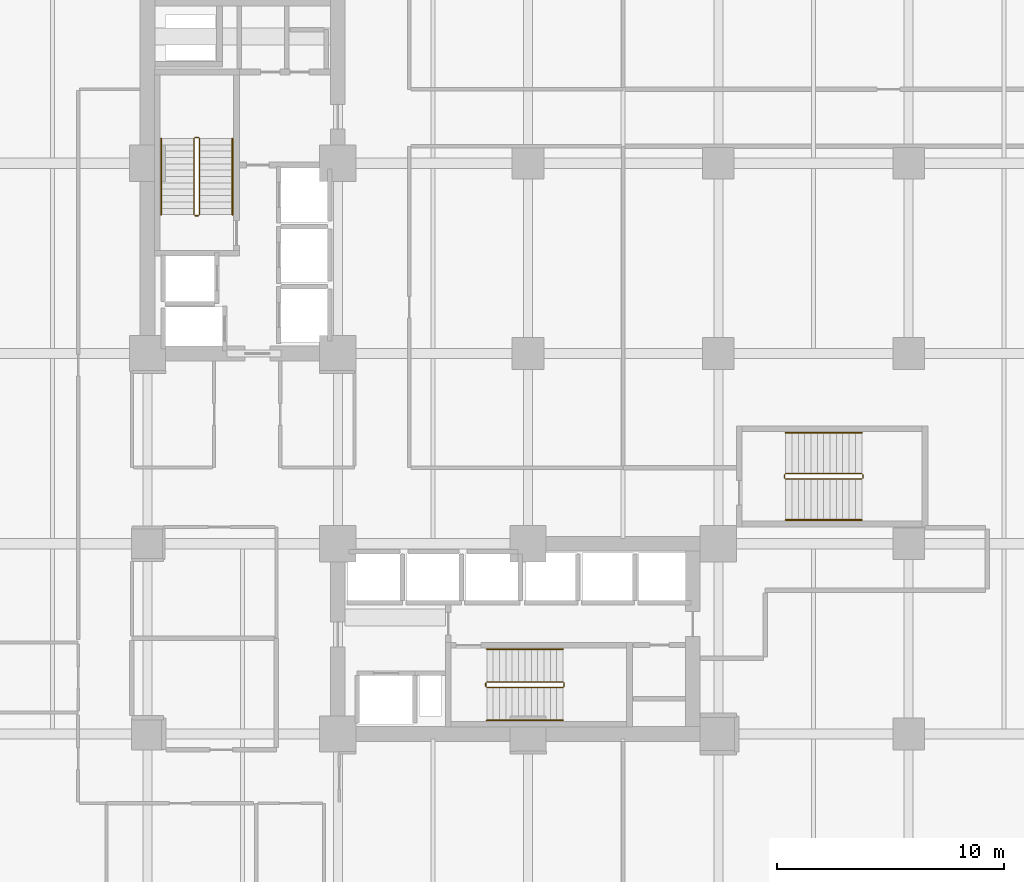
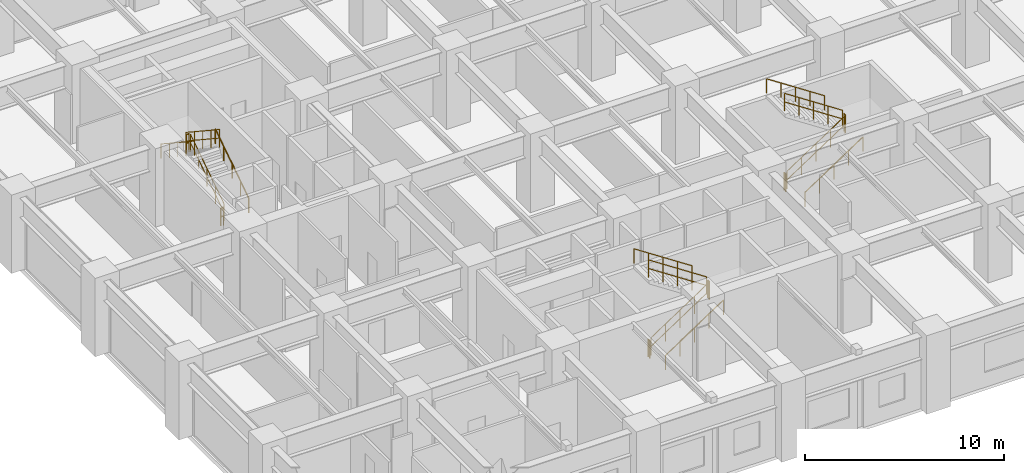
# One storey, part 24 of 24: 18 railings.
"""IFC4 building model written with IfcOpenShell, lengths in metres."""

import ifcopenshell
import ifcopenshell.guid

model = None  # the IFC model being written
_history = None  # IfcOwnerHistory: only IFC2X3 demands one
_inside = {}  # id of a spatial element -> (the spatial element, [elements in it])
_under = {}  # id of a project, library or spatial element -> (it, [spatial elements below it])
_declared = {}  # id of a project -> (the project, [libraries it declares])
_typed = {}  # id of a type object -> (the type object, [elements of that type])
_made_of = {}  # id of a material, layer set ... -> (it, [elements and type objects made of it])


def new_model(schema):
    """Start an empty IFC model of exactly this schema.

    Asked for "IFC4X3", IfcOpenShell would pick the latest addendum, in which some entities
    have other attributes; the version numbers below select the first issue.
    IFC2X3 requires an IfcOwnerHistory on every rooted entity: one is made here for all.
    """
    global model, _history
    if schema == "IFC4X3":
        model = ifcopenshell.file(schema_version=(4, 3, 0, 0))
    else:
        model = ifcopenshell.file(schema=schema)
    _inside.clear()
    _under.clear()
    _declared.clear()
    _typed.clear()
    _made_of.clear()
    _history = None
    if model.schema == "IFC2X3":
        org = make("IfcOrganization", Name="unknown")
        user = make(
            "IfcPersonAndOrganization",
            ThePerson=make("IfcPerson", FamilyName="unknown"),
            TheOrganization=org,
        )
        app = make(
            "IfcApplication",
            ApplicationDeveloper=org,
            Version="unknown",
            ApplicationFullName="unknown",
            ApplicationIdentifier="unknown",
        )
        _history = make(
            "IfcOwnerHistory",
            OwningUser=user,
            OwningApplication=app,
            ChangeAction="ADDED",
            CreationDate=0,
        )
    return model


def make(cls, **values):
    """One entity of the class cls with the attributes given. An attribute that is None is left unset."""
    return model.create_entity(
        cls, **{name: value for name, value in values.items() if value is not None}
    )


def rooted(cls, **values):
    """An entity with a GlobalId (a new one), such as an element, a storey or a relation."""
    return make(cls, GlobalId=ifcopenshell.guid.new(), OwnerHistory=_history, **values)


def si_unit(unit_type, name, prefix=None):
    """IfcSIUnit, for example si_unit("LENGTHUNIT", "METRE", prefix="MILLI")."""
    return make("IfcSIUnit", UnitType=unit_type, Prefix=prefix, Name=name)


def assignment(units):
    """IfcUnitAssignment: the units of a project."""
    return None if units is None else make("IfcUnitAssignment", Units=units)


def point(xyz):
    """IfcCartesianPoint."""
    return None if xyz is None else make("IfcCartesianPoint", Coordinates=xyz)


def direction(xyz):
    """IfcDirection."""
    return None if xyz is None else make("IfcDirection", DirectionRatios=xyz)


def frame(location, z_axis=None, x_axis=None):
    """IfcAxis2Placement3D, a coordinate frame: its origin and axes. An axis left out is left unset."""
    return make(
        "IfcAxis2Placement3D",
        Location=point(location),
        Axis=direction(z_axis),
        RefDirection=direction(x_axis),
    )


def frame_2d(location, x_axis=None):
    """IfcAxis2Placement2D, a coordinate frame in the plane: its origin and x axis."""
    return make(
        "IfcAxis2Placement2D", Location=point(location), RefDirection=direction(x_axis)
    )


def origin():
    """The frame at (0, 0, 0) with its axes left unset."""
    return frame((0.0, 0.0, 0.0))


def origin_2d():
    """The frame at (0, 0) in the plane with its x axis left unset."""
    return frame_2d((0.0, 0.0))


def place(relative_to, where):
    """IfcLocalPlacement: puts the frame where relative to a parent placement (None: the world)."""
    return make(
        "IfcLocalPlacement", PlacementRelTo=relative_to, RelativePlacement=where
    )


def context(
    kind, dimensions, precision=None, world=None, true_north=None, identifier=None
):
    """IfcGeometricRepresentationContext, for example the 3D "Model" context."""
    return make(
        "IfcGeometricRepresentationContext",
        ContextIdentifier=identifier,
        ContextType=kind,
        CoordinateSpaceDimension=dimensions,
        Precision=precision,
        WorldCoordinateSystem=world,
        TrueNorth=true_north,
    )


def subcontext(parent, identifier, kind, view, scale=None):
    """IfcGeometricRepresentationSubContext, for example "Body" below "Model"."""
    return make(
        "IfcGeometricRepresentationSubContext",
        ContextIdentifier=identifier,
        ContextType=kind,
        ParentContext=parent,
        TargetScale=scale,
        TargetView=view,
    )


def project(units=None, contexts=None):
    """IfcProject with its units and contexts."""
    return rooted(
        "IfcProject",
        Name="project",
        RepresentationContexts=contexts,
        UnitsInContext=assignment(units),
    )


def spatial(cls, under=None, at=None, **own):
    """A site, building, storey or space (cls), placed at a placement, below another one or the project."""
    s = rooted(cls, ObjectPlacement=at, **own)
    if under is not None:
        _under.setdefault(under.id(), (under, []))[1].append(s)
    return s


def profile(cls, at=None, kind="AREA", **sizes):
    """A parametric profile (cls). Its sizes go by their IFC names, for example OverallWidth=200.0."""
    return make(cls, ProfileType=kind, Position=at, **sizes)


def circle(**sizes):
    """IfcCircleProfileDef."""
    return profile("IfcCircleProfileDef", **sizes)


def extrude(swept, where, along, depth):
    """IfcExtrudedAreaSolid: the profile swept, set in the frame where, extruded along a direction by depth."""
    return make(
        "IfcExtrudedAreaSolid",
        SweptArea=swept,
        Position=where,
        ExtrudedDirection=direction(along),
        Depth=depth,
    )


def shape(context_of_items, identifier, shape_type, items):
    """IfcShapeRepresentation: the items that make up one representation, for example the "Body"."""
    return make(
        "IfcShapeRepresentation",
        ContextOfItems=context_of_items,
        RepresentationIdentifier=identifier,
        RepresentationType=shape_type,
        Items=items,
    )


def material(Name=None, Category=None):
    """IfcMaterial."""
    return make("IfcMaterial", Name=Name, Category=Category)


def made_of(thing, what):
    """Note that an element or type object is made of a material, layer set ...; save() writes the relation."""
    if what is not None:
        _made_of.setdefault(what.id(), (what, []))[1].append(thing)
    return thing


def type_object(cls, material=None, **own):
    """A type object (cls), such as IfcWallType, which elements share."""
    return made_of(rooted(cls, **own), material)


def element(
    cls,
    number,
    at=None,
    inside=None,
    cuts=None,
    type_object=None,
    material=None,
    context=None,
    identifier="Body",
    shape_type=None,
    held_by="IfcProductDefinitionShape",
    body=None,
    shapes=None,
    **own,
):
    """One element of the class cls, such as IfcWall. Its Tag is "e" and its number.

    at: its placement. inside: the storey or other place that contains it. cuts: it is an
    opening in that element (IfcRelVoidsElement). A single representation is given by context,
    identifier, shape_type and body (its items); several are given by shapes. held_by: the class
    of the entity that holds the representations. save() writes the other relations.
    """
    e = rooted(cls, Tag="e%d" % number, ObjectPlacement=at, **own)
    if body is not None:
        shapes = [shape(context, identifier, shape_type, body)]
    if shapes is not None:
        e.Representation = make(held_by, Representations=shapes)
    if inside is not None:
        _inside.setdefault(inside.id(), (inside, []))[1].append(e)
    if cuts is not None:
        rooted(
            "IfcRelVoidsElement", RelatingBuildingElement=cuts, RelatedOpeningElement=e
        )
    if type_object is not None:
        _typed.setdefault(type_object.id(), (type_object, []))[1].append(e)
    return made_of(e, material)


def aggregate(whole, parts):
    """IfcRelAggregates: a whole, such as a stair, and the parts it consists of."""
    return rooted("IfcRelAggregates", RelatingObject=whole, RelatedObjects=parts)


def save(model, path):
    """Write the relations noted so far, then the file.

    IfcRelAggregates (storeys below a building ...), IfcRelContainedInSpatialStructure (elements
    in a storey), IfcRelDefinesByType, IfcRelAssociatesMaterial and IfcRelDeclares: one each for
    every whole, place, type object, material and project.
    """
    for whole, parts in _under.values():
        aggregate(whole, parts)
    for where, things in _inside.values():
        rooted(
            "IfcRelContainedInSpatialStructure",
            RelatedElements=things,
            RelatingStructure=where,
        )
    for kind, things in _typed.values():
        rooted("IfcRelDefinesByType", RelatedObjects=things, RelatingType=kind)
    for what, things in _made_of.values():
        rooted("IfcRelAssociatesMaterial", RelatedObjects=things, RelatingMaterial=what)
    for by, libraries in _declared.values():
        rooted("IfcRelDeclares", RelatingContext=by, RelatedDefinitions=libraries)
    model.write(path)


model = new_model("IFC4")

# Units and contexts
model_context = context("Model", 3, precision=1e-05, world=origin(), true_north=direction((0.0, 1.0)))
body_context = subcontext(model_context, "Body", "Model", "MODEL_VIEW")
ifc_project = project(units=[si_unit("LENGTHUNIT", "METRE"), si_unit("AREAUNIT", "SQUARE_METRE"), si_unit("VOLUMEUNIT", "CUBIC_METRE"), si_unit("PLANEANGLEUNIT", "RADIAN"), si_unit("MASSUNIT", "GRAM", prefix="KILO")], contexts=[model_context])

# Site, building, storey
site_placement = place(None, origin())
site = spatial("IfcSite", under=ifc_project, at=site_placement, CompositionType="ELEMENT")
building_placement = place(site_placement, origin())
building = spatial("IfcBuilding", under=site, at=building_placement, Name="Nerrivon Quay Data Exchange", CompositionType="ELEMENT")
storey_placement = place(building_placement, frame((0.0, 0.0, 15.0)))
storey = spatial("IfcBuildingStorey", under=building, at=storey_placement, Name="L03", CompositionType="ELEMENT", Elevation=15.0)

# Railings
ifc_material = material(Name="Steel Grade C350L0 (350 MPa)", Category="steel")
railing_type_1 = type_object("IfcRailingType", Name="RAIL-HAND-HR1", PredefinedType="HANDRAIL", material=ifc_material)
railing_1_placement = place(storey_placement, frame((12.14990234375, 31.330078125, 0.1845703125)))
element("IfcRailing", 1, at=railing_1_placement, inside=storey, type_object=railing_type_1, Name="L03 ST01 stair handrail 1", PredefinedType="HANDRAIL", context=body_context, shape_type="SweptSolid", body=[
    extrude(circle(Radius=0.02392578125, at=origin_2d()), frame((0.0, 0.0, 0.8759765625), z_axis=(0.0, 0.834858096282, 0.550465220583), x_axis=(-1.0, 0.0, 0.0)), (0.0, 0.0, 1.0), 4.0244140625),
    extrude(circle(Radius=0.02099609375, at=origin_2d()), origin(), (0.0, 0.0, 1.0), 0.851806640625),
    extrude(circle(Radius=0.02099609375, at=origin_2d()), frame((0.0, 0.83984375, 0.5537109375)), (0.0, 0.0, 1.0), 0.851806640625),
    extrude(circle(Radius=0.02099609375, at=origin_2d()), frame((0.0, 1.679931640625, 1.107666015625)), (0.0, 0.0, 1.0), 0.851806640625),
    extrude(circle(Radius=0.02099609375, at=origin_2d()), frame((0.0, 2.52001953125, 1.66162109375)), (0.0, 0.0, 1.0), 0.851806640625),
    extrude(circle(Radius=0.02099609375, at=origin_2d()), frame((0.0, 3.35986328125, 2.21533203125)), (0.0, 0.0, 1.0), 0.851806640625),
])
railing_2_placement = place(storey_placement, frame((9.0, 34.68994140625, 2.584716796875)))
element("IfcRailing", 2, at=railing_2_placement, inside=storey, type_object=railing_type_1, Name="L03 ST01 stair handrail 2", PredefinedType="HANDRAIL", context=body_context, shape_type="SweptSolid", body=[
    extrude(circle(Radius=0.02392578125, at=origin_2d()), frame((0.0, 0.0, 0.8759765625), z_axis=(0.0, -0.834858096282, 0.550465220583), x_axis=(1.0, 0.0, 0.0)), (0.0, 0.0, 1.0), 4.0244140625),
    extrude(circle(Radius=0.02099609375, at=origin_2d()), origin(), (0.0, 0.0, 1.0), 0.851806640625),
    extrude(circle(Radius=0.02099609375, at=origin_2d()), frame((0.0, -0.83984375, 0.5537109375)), (0.0, 0.0, 1.0), 0.851806640625),
    extrude(circle(Radius=0.02099609375, at=origin_2d()), frame((0.0, -1.679931640625, 1.107666015625)), (0.0, 0.0, 1.0), 0.851806640625),
    extrude(circle(Radius=0.02099609375, at=origin_2d()), frame((0.0, -2.52001953125, 1.66162109375)), (0.0, 0.0, 1.0), 0.851806640625),
    extrude(circle(Radius=0.02099609375, at=origin_2d()), frame((0.0, -3.35986328125, 2.21533203125)), (0.0, 0.0, 1.0), 0.851806640625),
])
railing_3_placement = place(storey_placement, frame((23.3798828125, 9.0, 0.1845703125)))
element("IfcRailing", 3, at=railing_3_placement, inside=storey, type_object=railing_type_1, Name="L03 ST02 stair handrail 1", PredefinedType="HANDRAIL", context=body_context, shape_type="SweptSolid", body=[
    extrude(circle(Radius=0.02392578125, at=origin_2d()), frame((0.0, 0.0, 0.8759765625), z_axis=(0.834876476806, 0.0, 0.550437342915), x_axis=(0.0, 1.0, 0.0)), (0.0, 0.0, 1.0), 4.024658203125),
    extrude(circle(Radius=0.02099609375, at=origin_2d()), origin(), (0.0, 0.0, 1.0), 0.851806640625),
    extrude(circle(Radius=0.02099609375, at=origin_2d()), frame((0.840087890625, 0.0, 0.5537109375)), (0.0, 0.0, 1.0), 0.851806640625),
    extrude(circle(Radius=0.02099609375, at=origin_2d()), frame((1.68017578125, 0.0, 1.107666015625)), (0.0, 0.0, 1.0), 0.851806640625),
    extrude(circle(Radius=0.02099609375, at=origin_2d()), frame((2.52001953125, 0.0, 1.66162109375)), (0.0, 0.0, 1.0), 0.851806640625),
    extrude(circle(Radius=0.02099609375, at=origin_2d()), frame((3.360107421875, 0.0, 2.21533203125)), (0.0, 0.0, 1.0), 0.851806640625),
])
railing_4_placement = place(storey_placement, frame((26.739990234375, 12.14990234375, 2.584716796875)))
element("IfcRailing", 4, at=railing_4_placement, inside=storey, type_object=railing_type_1, Name="L03 ST02 stair handrail 2", PredefinedType="HANDRAIL", context=body_context, shape_type="SweptSolid", body=[
    extrude(circle(Radius=0.02392578125, at=origin_2d()), frame((0.0, 0.0, 0.8759765625), z_axis=(-0.834876476806, 0.0, 0.550437342915), x_axis=(0.0, -1.0, 0.0)), (0.0, 0.0, 1.0), 4.024658203125),
    extrude(circle(Radius=0.02099609375, at=origin_2d()), origin(), (0.0, 0.0, 1.0), 0.851806640625),
    extrude(circle(Radius=0.02099609375, at=origin_2d()), frame((-0.840087890625, 0.0, 0.5537109375)), (0.0, 0.0, 1.0), 0.851806640625),
    extrude(circle(Radius=0.02099609375, at=origin_2d()), frame((-1.68017578125, 0.0, 1.107666015625)), (0.0, 0.0, 1.0), 0.851806640625),
    extrude(circle(Radius=0.02099609375, at=origin_2d()), frame((-2.52001953125, 0.0, 1.66162109375)), (0.0, 0.0, 1.0), 0.851806640625),
    extrude(circle(Radius=0.02099609375, at=origin_2d()), frame((-3.360107421875, 0.0, 2.21533203125)), (0.0, 0.0, 1.0), 0.851806640625),
])
railing_5_placement = place(storey_placement, frame((36.570068359375, 17.85009765625, 0.1845703125)))
element("IfcRailing", 5, at=railing_5_placement, inside=storey, type_object=railing_type_1, Name="L03 ST03 stair handrail 1", PredefinedType="HANDRAIL", context=body_context, shape_type="SweptSolid", body=[
    extrude(circle(Radius=0.02392578125, at=origin_2d()), frame((0.0, 0.0, 0.8759765625), z_axis=(0.834858096282, 0.0, 0.550465220583), x_axis=(0.0, 1.0, 0.0)), (0.0, 0.0, 1.0), 4.0244140625),
    extrude(circle(Radius=0.02099609375, at=origin_2d()), origin(), (0.0, 0.0, 1.0), 0.851806640625),
    extrude(circle(Radius=0.02099609375, at=origin_2d()), frame((0.83984375, 0.0, 0.5537109375)), (0.0, 0.0, 1.0), 0.851806640625),
    extrude(circle(Radius=0.02099609375, at=origin_2d()), frame((1.679931640625, 0.0, 1.107666015625)), (0.0, 0.0, 1.0), 0.851806640625),
    extrude(circle(Radius=0.02099609375, at=origin_2d()), frame((2.52001953125, 0.0, 1.66162109375)), (0.0, 0.0, 1.0), 0.851806640625),
    extrude(circle(Radius=0.02099609375, at=origin_2d()), frame((3.35986328125, 0.0, 2.21533203125)), (0.0, 0.0, 1.0), 0.851806640625),
])
railing_6_placement = place(storey_placement, frame((39.929931640625, 21.699951171875, 2.584716796875)))
element("IfcRailing", 6, at=railing_6_placement, inside=storey, type_object=railing_type_1, Name="L03 ST03 stair handrail 2", PredefinedType="HANDRAIL", context=body_context, shape_type="SweptSolid", body=[
    extrude(circle(Radius=0.02392578125, at=origin_2d()), frame((0.0, 0.0, 0.8759765625), z_axis=(-0.834858096282, 0.0, 0.550465220583), x_axis=(0.0, -1.0, 0.0)), (0.0, 0.0, 1.0), 4.0244140625),
    extrude(circle(Radius=0.02099609375, at=origin_2d()), origin(), (0.0, 0.0, 1.0), 0.851806640625),
    extrude(circle(Radius=0.02099609375, at=origin_2d()), frame((-0.83984375, 0.0, 0.5537109375)), (0.0, 0.0, 1.0), 0.851806640625),
    extrude(circle(Radius=0.02099609375, at=origin_2d()), frame((-1.679931640625, 0.0, 1.107666015625)), (0.0, 0.0, 1.0), 0.851806640625),
    extrude(circle(Radius=0.02099609375, at=origin_2d()), frame((-2.52001953125, 0.0, 1.66162109375)), (0.0, 0.0, 1.0), 0.851806640625),
    extrude(circle(Radius=0.02099609375, at=origin_2d()), frame((-3.35986328125, 0.0, 2.21533203125)), (0.0, 0.0, 1.0), 0.851806640625),
])
railing_type_2 = type_object("IfcRailingType", Name="RAIL-STAIR-GR1", PredefinedType="BALUSTRADE", material=ifc_material)
railing_7_placement = place(storey_placement, frame((10.699951171875, 31.330078125, 0.1845703125)))
element("IfcRailing", 7, at=railing_7_placement, inside=storey, type_object=railing_type_2, Name="L03 ST01 stair guard 1", PredefinedType="BALUSTRADE", context=body_context, shape_type="SweptSolid", body=[
    extrude(circle(Radius=0.02392578125, at=origin_2d()), frame((0.0, 0.0, 1.076171875), z_axis=(0.0, 0.834858096282, 0.550465220583), x_axis=(-1.0, 0.0, 0.0)), (0.0, 0.0, 1.0), 4.0244140625),
    extrude(circle(Radius=0.02392578125, at=origin_2d()), frame((0.0, 0.0, 0.550048828125), z_axis=(0.0, 0.834858096282, 0.550465220583), x_axis=(-1.0, 0.0, 0.0)), (0.0, 0.0, 1.0), 4.0244140625),
    extrude(circle(Radius=0.02099609375, at=origin_2d()), origin(), (0.0, 0.0, 1.0), 1.052001953125),
    extrude(circle(Radius=0.02099609375, at=origin_2d()), frame((0.0, 0.83984375, 0.5537109375)), (0.0, 0.0, 1.0), 1.052001953125),
    extrude(circle(Radius=0.02099609375, at=origin_2d()), frame((0.0, 1.679931640625, 1.107666015625)), (0.0, 0.0, 1.0), 1.052001953125),
    extrude(circle(Radius=0.02099609375, at=origin_2d()), frame((0.0, 2.52001953125, 1.66162109375)), (0.0, 0.0, 1.0), 1.052001953125),
    extrude(circle(Radius=0.02099609375, at=origin_2d()), frame((0.0, 3.35986328125, 2.21533203125)), (0.0, 0.0, 1.0), 1.052001953125),
])
railing_8_placement = place(storey_placement, frame((10.64990234375, 34.739990234375, 2.39990234375)))
element("IfcRailing", 8, at=railing_8_placement, inside=storey, type_object=railing_type_2, Name="L03 ST01 stair guard 2", PredefinedType="BALUSTRADE", context=body_context, shape_type="SweptSolid", body=[
    extrude(circle(Radius=0.02392578125, at=origin_2d()), frame((0.0, 0.0, 1.076171875), z_axis=(-1.0, 0.0, 0.0), x_axis=(0.0, -1.0, 0.0)), (0.0, 0.0, 1.0), 0.14990234375),
    extrude(circle(Radius=0.02392578125, at=origin_2d()), frame((0.0, 0.0, 0.550048828125), z_axis=(-1.0, 0.0, 0.0), x_axis=(0.0, -1.0, 0.0)), (0.0, 0.0, 1.0), 0.14990234375),
    extrude(circle(Radius=0.02099609375, at=origin_2d()), origin(), (0.0, 0.0, 1.0), 1.052001953125),
    extrude(circle(Radius=0.02099609375, at=origin_2d()), frame((-0.14990234375, 0.0, 0.0)), (0.0, 0.0, 1.0), 1.052001953125),
])
railing_9_placement = place(storey_placement, frame((10.449951171875, 34.68994140625, 2.584716796875)))
element("IfcRailing", 9, at=railing_9_placement, inside=storey, type_object=railing_type_2, Name="L03 ST01 stair guard 3", PredefinedType="BALUSTRADE", context=body_context, shape_type="SweptSolid", body=[
    extrude(circle(Radius=0.02392578125, at=origin_2d()), frame((0.0, 0.0, 1.076171875), z_axis=(0.0, -0.834858096282, 0.550465220583), x_axis=(1.0, 0.0, 0.0)), (0.0, 0.0, 1.0), 4.0244140625),
    extrude(circle(Radius=0.02392578125, at=origin_2d()), frame((0.0, 0.0, 0.550048828125), z_axis=(0.0, -0.834858096282, 0.550465220583), x_axis=(1.0, 0.0, 0.0)), (0.0, 0.0, 1.0), 4.0244140625),
    extrude(circle(Radius=0.02099609375, at=origin_2d()), origin(), (0.0, 0.0, 1.0), 1.052001953125),
    extrude(circle(Radius=0.02099609375, at=origin_2d()), frame((0.0, -0.83984375, 0.5537109375)), (0.0, 0.0, 1.0), 1.052001953125),
    extrude(circle(Radius=0.02099609375, at=origin_2d()), frame((0.0, -1.679931640625, 1.107666015625)), (0.0, 0.0, 1.0), 1.052001953125),
    extrude(circle(Radius=0.02099609375, at=origin_2d()), frame((0.0, -2.52001953125, 1.66162109375)), (0.0, 0.0, 1.0), 1.052001953125),
    extrude(circle(Radius=0.02099609375, at=origin_2d()), frame((0.0, -3.35986328125, 2.21533203125)), (0.0, 0.0, 1.0), 1.052001953125),
])
railing_10_placement = place(storey_placement, frame((10.64990234375, 31.280029296875, 0.0)))
element("IfcRailing", 10, at=railing_10_placement, inside=storey, type_object=railing_type_2, Name="L03 ST01 stair guard 4", PredefinedType="BALUSTRADE", context=body_context, shape_type="SweptSolid", body=[
    extrude(circle(Radius=0.02392578125, at=origin_2d()), frame((0.0, 0.0, 1.076171875), z_axis=(-1.0, 0.0, 0.0), x_axis=(0.0, -1.0, 0.0)), (0.0, 0.0, 1.0), 0.14990234375),
    extrude(circle(Radius=0.02392578125, at=origin_2d()), frame((0.0, 0.0, 0.550048828125), z_axis=(-1.0, 0.0, 0.0), x_axis=(0.0, -1.0, 0.0)), (0.0, 0.0, 1.0), 0.14990234375),
    extrude(circle(Radius=0.02099609375, at=origin_2d()), origin(), (0.0, 0.0, 1.0), 1.052001953125),
    extrude(circle(Radius=0.02099609375, at=origin_2d()), frame((-0.14990234375, 0.0, 0.0)), (0.0, 0.0, 1.0), 1.052001953125),
])
railing_11_placement = place(storey_placement, frame((23.3798828125, 10.449951171875, 0.1845703125)))
element("IfcRailing", 11, at=railing_11_placement, inside=storey, type_object=railing_type_2, Name="L03 ST02 stair guard 1", PredefinedType="BALUSTRADE", context=body_context, shape_type="SweptSolid", body=[
    extrude(circle(Radius=0.02392578125, at=origin_2d()), frame((0.0, 0.0, 1.076171875), z_axis=(0.834876476806, 0.0, 0.550437342915), x_axis=(0.0, 1.0, 0.0)), (0.0, 0.0, 1.0), 4.024658203125),
    extrude(circle(Radius=0.02392578125, at=origin_2d()), frame((0.0, 0.0, 0.550048828125), z_axis=(0.834876476806, 0.0, 0.550437342915), x_axis=(0.0, 1.0, 0.0)), (0.0, 0.0, 1.0), 4.024658203125),
    extrude(circle(Radius=0.02099609375, at=origin_2d()), origin(), (0.0, 0.0, 1.0), 1.052001953125),
    extrude(circle(Radius=0.02099609375, at=origin_2d()), frame((0.840087890625, 0.0, 0.5537109375)), (0.0, 0.0, 1.0), 1.052001953125),
    extrude(circle(Radius=0.02099609375, at=origin_2d()), frame((1.68017578125, 0.0, 1.107666015625)), (0.0, 0.0, 1.0), 1.052001953125),
    extrude(circle(Radius=0.02099609375, at=origin_2d()), frame((2.52001953125, 0.0, 1.66162109375)), (0.0, 0.0, 1.0), 1.052001953125),
    extrude(circle(Radius=0.02099609375, at=origin_2d()), frame((3.360107421875, 0.0, 2.21533203125)), (0.0, 0.0, 1.0), 1.052001953125),
])
railing_12_placement = place(storey_placement, frame((26.7900390625, 10.5, 2.39990234375)))
element("IfcRailing", 12, at=railing_12_placement, inside=storey, type_object=railing_type_2, Name="L03 ST02 stair guard 2", PredefinedType="BALUSTRADE", context=body_context, shape_type="SweptSolid", body=[
    extrude(circle(Radius=0.02392578125, at=origin_2d()), frame((0.0, 0.0, 1.076171875), z_axis=(0.0, 1.0, 0.0), x_axis=(-1.0, 0.0, 0.0)), (0.0, 0.0, 1.0), 0.14990234375),
    extrude(circle(Radius=0.02392578125, at=origin_2d()), frame((0.0, 0.0, 0.550048828125), z_axis=(0.0, 1.0, 0.0), x_axis=(-1.0, 0.0, 0.0)), (0.0, 0.0, 1.0), 0.14990234375),
    extrude(circle(Radius=0.02099609375, at=origin_2d()), origin(), (0.0, 0.0, 1.0), 1.052001953125),
    extrude(circle(Radius=0.02099609375, at=origin_2d()), frame((0.0, 0.14990234375, 0.0)), (0.0, 0.0, 1.0), 1.052001953125),
])
railing_13_placement = place(storey_placement, frame((26.739990234375, 10.699951171875, 2.584716796875)))
element("IfcRailing", 13, at=railing_13_placement, inside=storey, type_object=railing_type_2, Name="L03 ST02 stair guard 3", PredefinedType="BALUSTRADE", context=body_context, shape_type="SweptSolid", body=[
    extrude(circle(Radius=0.02392578125, at=origin_2d()), frame((0.0, 0.0, 1.076171875), z_axis=(-0.834876476806, 0.0, 0.550437342915), x_axis=(0.0, -1.0, 0.0)), (0.0, 0.0, 1.0), 4.024658203125),
    extrude(circle(Radius=0.02392578125, at=origin_2d()), frame((0.0, 0.0, 0.550048828125), z_axis=(-0.834876476806, 0.0, 0.550437342915), x_axis=(0.0, -1.0, 0.0)), (0.0, 0.0, 1.0), 4.024658203125),
    extrude(circle(Radius=0.02099609375, at=origin_2d()), origin(), (0.0, 0.0, 1.0), 1.052001953125),
    extrude(circle(Radius=0.02099609375, at=origin_2d()), frame((-0.840087890625, 0.0, 0.5537109375)), (0.0, 0.0, 1.0), 1.052001953125),
    extrude(circle(Radius=0.02099609375, at=origin_2d()), frame((-1.68017578125, 0.0, 1.107666015625)), (0.0, 0.0, 1.0), 1.052001953125),
    extrude(circle(Radius=0.02099609375, at=origin_2d()), frame((-2.52001953125, 0.0, 1.66162109375)), (0.0, 0.0, 1.0), 1.052001953125),
    extrude(circle(Radius=0.02099609375, at=origin_2d()), frame((-3.360107421875, 0.0, 2.21533203125)), (0.0, 0.0, 1.0), 1.052001953125),
])
railing_14_placement = place(storey_placement, frame((23.330078125, 10.5, 0.0)))
element("IfcRailing", 14, at=railing_14_placement, inside=storey, type_object=railing_type_2, Name="L03 ST02 stair guard 4", PredefinedType="BALUSTRADE", context=body_context, shape_type="SweptSolid", body=[
    extrude(circle(Radius=0.02392578125, at=origin_2d()), frame((0.0, 0.0, 1.076171875), z_axis=(0.0, 1.0, 0.0), x_axis=(-1.0, 0.0, 0.0)), (0.0, 0.0, 1.0), 0.14990234375),
    extrude(circle(Radius=0.02392578125, at=origin_2d()), frame((0.0, 0.0, 0.550048828125), z_axis=(0.0, 1.0, 0.0), x_axis=(-1.0, 0.0, 0.0)), (0.0, 0.0, 1.0), 0.14990234375),
    extrude(circle(Radius=0.02099609375, at=origin_2d()), origin(), (0.0, 0.0, 1.0), 1.052001953125),
    extrude(circle(Radius=0.02099609375, at=origin_2d()), frame((0.0, 0.14990234375, 0.0)), (0.0, 0.0, 1.0), 1.052001953125),
])
railing_15_placement = place(storey_placement, frame((36.570068359375, 19.64990234375, 0.1845703125)))
element("IfcRailing", 15, at=railing_15_placement, inside=storey, type_object=railing_type_2, Name="L03 ST03 stair guard 1", PredefinedType="BALUSTRADE", context=body_context, shape_type="SweptSolid", body=[
    extrude(circle(Radius=0.02392578125, at=origin_2d()), frame((0.0, 0.0, 1.076171875), z_axis=(0.834858096282, 0.0, 0.550465220583), x_axis=(0.0, 1.0, 0.0)), (0.0, 0.0, 1.0), 4.0244140625),
    extrude(circle(Radius=0.02392578125, at=origin_2d()), frame((0.0, 0.0, 0.550048828125), z_axis=(0.834858096282, 0.0, 0.550465220583), x_axis=(0.0, 1.0, 0.0)), (0.0, 0.0, 1.0), 4.0244140625),
    extrude(circle(Radius=0.02099609375, at=origin_2d()), origin(), (0.0, 0.0, 1.0), 1.052001953125),
    extrude(circle(Radius=0.02099609375, at=origin_2d()), frame((0.83984375, 0.0, 0.5537109375)), (0.0, 0.0, 1.0), 1.052001953125),
    extrude(circle(Radius=0.02099609375, at=origin_2d()), frame((1.679931640625, 0.0, 1.107666015625)), (0.0, 0.0, 1.0), 1.052001953125),
    extrude(circle(Radius=0.02099609375, at=origin_2d()), frame((2.52001953125, 0.0, 1.66162109375)), (0.0, 0.0, 1.0), 1.052001953125),
    extrude(circle(Radius=0.02099609375, at=origin_2d()), frame((3.35986328125, 0.0, 2.21533203125)), (0.0, 0.0, 1.0), 1.052001953125),
])
railing_16_placement = place(storey_placement, frame((39.97998046875, 19.699951171875, 2.39990234375)))
element("IfcRailing", 16, at=railing_16_placement, inside=storey, type_object=railing_type_2, Name="L03 ST03 stair guard 2", PredefinedType="BALUSTRADE", context=body_context, shape_type="SweptSolid", body=[
    extrude(circle(Radius=0.02392578125, at=origin_2d()), frame((0.0, 0.0, 1.076171875), z_axis=(0.0, 1.0, 0.0), x_axis=(-1.0, 0.0, 0.0)), (0.0, 0.0, 1.0), 0.150146484375),
    extrude(circle(Radius=0.02392578125, at=origin_2d()), frame((0.0, 0.0, 0.550048828125), z_axis=(0.0, 1.0, 0.0), x_axis=(-1.0, 0.0, 0.0)), (0.0, 0.0, 1.0), 0.150146484375),
    extrude(circle(Radius=0.02099609375, at=origin_2d()), origin(), (0.0, 0.0, 1.0), 1.052001953125),
    extrude(circle(Radius=0.02099609375, at=origin_2d()), frame((0.0, 0.150146484375, 0.0)), (0.0, 0.0, 1.0), 1.052001953125),
])
railing_17_placement = place(storey_placement, frame((39.929931640625, 19.89990234375, 2.584716796875)))
element("IfcRailing", 17, at=railing_17_placement, inside=storey, type_object=railing_type_2, Name="L03 ST03 stair guard 3", PredefinedType="BALUSTRADE", context=body_context, shape_type="SweptSolid", body=[
    extrude(circle(Radius=0.02392578125, at=origin_2d()), frame((0.0, 0.0, 1.076171875), z_axis=(-0.834858096282, 0.0, 0.550465220583), x_axis=(0.0, -1.0, 0.0)), (0.0, 0.0, 1.0), 4.0244140625),
    extrude(circle(Radius=0.02392578125, at=origin_2d()), frame((0.0, 0.0, 0.550048828125), z_axis=(-0.834858096282, 0.0, 0.550465220583), x_axis=(0.0, -1.0, 0.0)), (0.0, 0.0, 1.0), 4.0244140625),
    extrude(circle(Radius=0.02099609375, at=origin_2d()), origin(), (0.0, 0.0, 1.0), 1.052001953125),
    extrude(circle(Radius=0.02099609375, at=origin_2d()), frame((-0.83984375, 0.0, 0.5537109375)), (0.0, 0.0, 1.0), 1.052001953125),
    extrude(circle(Radius=0.02099609375, at=origin_2d()), frame((-1.679931640625, 0.0, 1.107666015625)), (0.0, 0.0, 1.0), 1.052001953125),
    extrude(circle(Radius=0.02099609375, at=origin_2d()), frame((-2.52001953125, 0.0, 1.66162109375)), (0.0, 0.0, 1.0), 1.052001953125),
    extrude(circle(Radius=0.02099609375, at=origin_2d()), frame((-3.35986328125, 0.0, 2.21533203125)), (0.0, 0.0, 1.0), 1.052001953125),
])
railing_18_placement = place(storey_placement, frame((36.52001953125, 19.699951171875, 0.0)))
element("IfcRailing", 18, at=railing_18_placement, inside=storey, type_object=railing_type_2, Name="L03 ST03 stair guard 4", PredefinedType="BALUSTRADE", context=body_context, shape_type="SweptSolid", body=[
    extrude(circle(Radius=0.02392578125, at=origin_2d()), frame((0.0, 0.0, 1.076171875), z_axis=(0.0, 1.0, 0.0), x_axis=(-1.0, 0.0, 0.0)), (0.0, 0.0, 1.0), 0.150146484375),
    extrude(circle(Radius=0.02392578125, at=origin_2d()), frame((0.0, 0.0, 0.550048828125), z_axis=(0.0, 1.0, 0.0), x_axis=(-1.0, 0.0, 0.0)), (0.0, 0.0, 1.0), 0.150146484375),
    extrude(circle(Radius=0.02099609375, at=origin_2d()), origin(), (0.0, 0.0, 1.0), 1.052001953125),
    extrude(circle(Radius=0.02099609375, at=origin_2d()), frame((0.0, 0.150146484375, 0.0)), (0.0, 0.0, 1.0), 1.052001953125),
])

save(model, "model.ifc")
